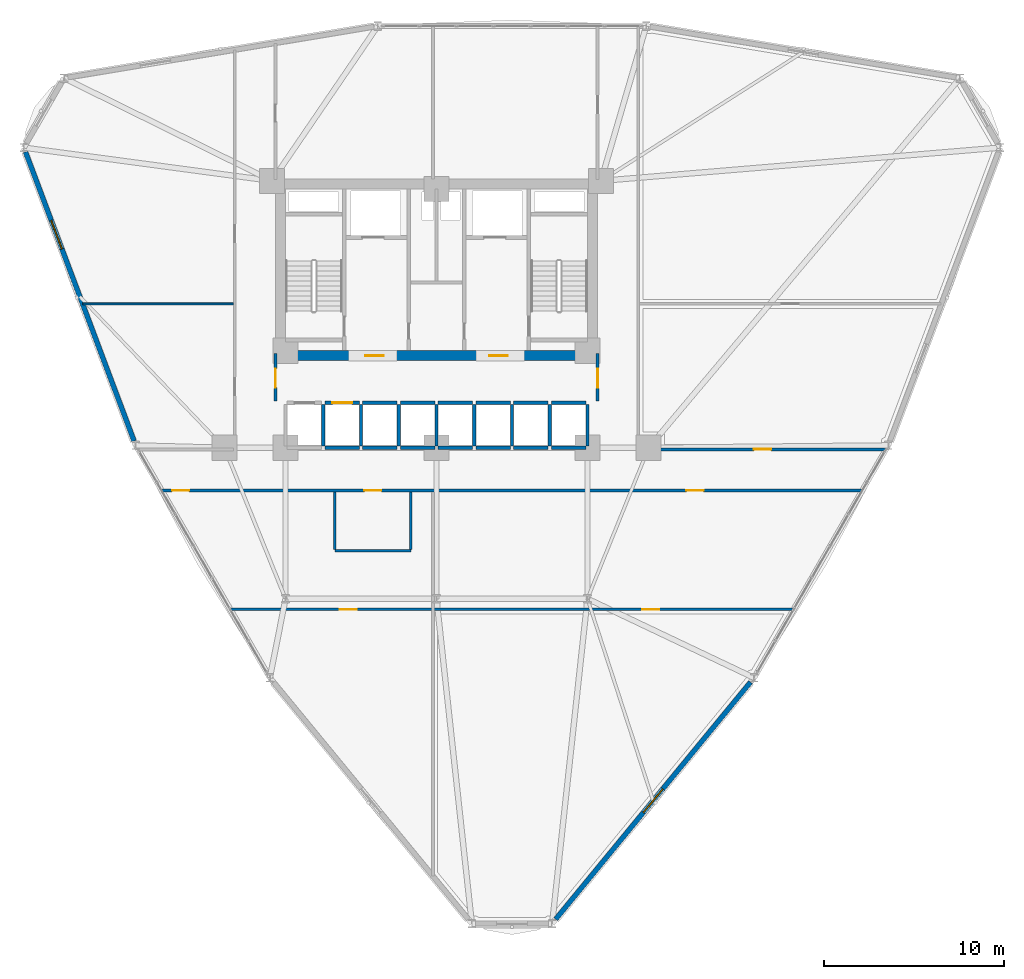
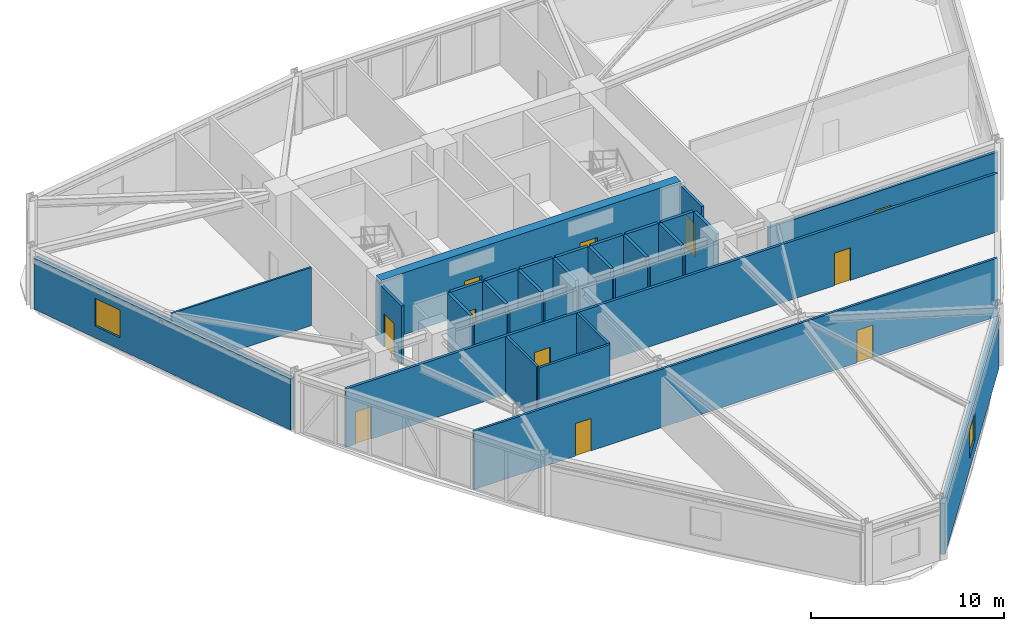
# One storey, part 14 of 20: 34 walls, 11 doors, 2 windows, 13 openings.
"""IFC4 building model written with IfcOpenShell, lengths in metres."""

from ifc_helpers import new_model, si_unit, derived_unit, direction, frame, frame_2d, origin, place, context, subcontext, project, spatial, rectangle, extrude, material, layer, layer_set, type_object, element, fill, save


model = new_model("IFC4")

# Units and contexts
model_context = context("Model", 3, precision=1e-05, world=origin(), true_north=direction((0.0, 1.0)))
body_context = subcontext(model_context, "Body", "Model", "MODEL_VIEW")
ifc_project = project(units=[si_unit("LENGTHUNIT", "METRE"), si_unit("AREAUNIT", "SQUARE_METRE"), si_unit("VOLUMEUNIT", "CUBIC_METRE"), si_unit("PLANEANGLEUNIT", "RADIAN"), si_unit("MASSUNIT", "GRAM", prefix="KILO"), derived_unit("THERMALTRANSMITTANCEUNIT", [(si_unit("POWERUNIT", "WATT"), 1), (si_unit("LENGTHUNIT", "METRE"), -2), (si_unit("THERMODYNAMICTEMPERATUREUNIT", "KELVIN"), -1)])], contexts=[model_context])

# Site, building, storey
site_placement = place(None, origin())
site = spatial("IfcSite", under=ifc_project, at=site_placement, CompositionType="ELEMENT")
building_placement = place(site_placement, origin())
building = spatial("IfcBuilding", under=site, at=building_placement, Name="Korsvarv Bourse and Concert Hall", CompositionType="ELEMENT")
storey_placement = place(building_placement, frame((0.0, 0.0, 79.5)))
storey = spatial("IfcBuildingStorey", under=building, at=storey_placement, Name="L19", CompositionType="ELEMENT", Elevation=79.5)

# Wall, openings, doors
ifc_material_1 = material(Name="Concrete C60/75", Category="concrete")
ifc_layer_1 = layer(ifc_material_1, 0.550048828125)
ifc_layer_set_1 = layer_set([ifc_layer_1], Name="Concrete C60/75")
wall_type_1 = type_object("IfcWallType", Name="WL-CORE-550", PredefinedType="SHEAR", material=ifc_layer_set_1)
wall_1_placement = place(storey_placement, frame((27.050048828125, 37.52490234375, 0.0), z_axis=(0.0, 0.0, 1.0), x_axis=(1.0, 0.0, 0.0)))
wall_1 = element("IfcWall", 1, at=wall_1_placement, inside=storey, type_object=wall_type_1, Name="L19 South Core Shear Wall", PredefinedType="SHEAR", context=body_context, shape_type="SweptSolid", body=[
    extrude(rectangle(XDim=17.89990234375, YDim=0.550048828125, at=frame_2d((8.949951171875, 0.0))), origin(), (0.0, 0.0, 1.0), 3.89990234375),
])
opening_1_placement = place(wall_1_placement, frame((4.97509765625, 0.0, 0.0)))
opening_1 = element("IfcOpeningElement", 2, at=opening_1_placement, cuts=wall_1, Name="Opening D-01", PredefinedType="OPENING", context=body_context, shape_type="SweptSolid", body=[
    extrude(rectangle(XDim=1.050048828125, YDim=2.10009765625, at=frame_2d((0.52490234375, 1.050048828125))), frame((0.0, 0.28515625, 0.0), z_axis=(0.0, -1.0, 0.0), x_axis=(1.0, 0.0, 0.0)), (0.0, 0.0, 1.0), 0.570068359375),
])
opening_2_placement = place(wall_1_placement, frame((11.875, 0.0, 0.0)))
opening_2 = element("IfcOpeningElement", 3, at=opening_2_placement, cuts=wall_1, Name="Opening D-01", PredefinedType="OPENING", context=body_context, shape_type="SweptSolid", body=[
    extrude(rectangle(XDim=1.050048828125, YDim=2.10009765625, at=frame_2d((0.52490234375, 1.050048828125))), frame((0.0, 0.28515625, 0.0), z_axis=(0.0, -1.0, 0.0), x_axis=(1.0, 0.0, 0.0)), (0.0, 0.0, 1.0), 0.570068359375),
])
ifc_material_2 = material(Name="Steel S355 fire door", Category="steel")
door_type_1 = type_object("IfcDoorType", Name="DR-FD60", OperationType="NOTDEFINED", PredefinedType="DOOR", material=ifc_material_2)
door_1_placement = place(opening_1_placement, frame((1.050048828125, 0.0, 0.0), z_axis=(0.0, 0.0, 1.0), x_axis=(-1.0, 0.0, 0.0)))
door_1 = element("IfcDoor", 4, at=door_1_placement, inside=storey, type_object=door_type_1, Name="L19 firefighting lobby fire door DR-L19-FFLW", OperationType="SINGLE_SWING_RIGHT", OverallHeight=2.10009765625, OverallWidth=1.050048828125, PredefinedType="DOOR", context=body_context, shape_type="SweptSolid", body=[
    extrude(rectangle(XDim=1.050048828125, YDim=2.10009765625, at=frame_2d((0.52490234375, 1.050048828125))), frame((0.0, 0.02490234375, 0.0), z_axis=(0.0, -1.0, 0.0), x_axis=(1.0, 0.0, 0.0)), (0.0, 0.0, 1.0), 0.050048828125),
])
fill(opening_1, door_1)
door_2_placement = place(opening_2_placement, frame((1.050048828125, 0.0, 0.0), z_axis=(0.0, 0.0, 1.0), x_axis=(-1.0, 0.0, 0.0)))
door_2 = element("IfcDoor", 5, at=door_2_placement, inside=storey, type_object=door_type_1, Name="L19 firefighting lobby fire door DR-L19-FFLE", OperationType="SINGLE_SWING_LEFT", OverallHeight=2.10009765625, OverallWidth=1.050048828125, PredefinedType="DOOR", context=body_context, shape_type="SweptSolid", body=[
    extrude(rectangle(XDim=1.050048828125, YDim=2.10009765625, at=frame_2d((0.52490234375, 1.050048828125))), frame((0.0, 0.02490234375, 0.0), z_axis=(0.0, -1.0, 0.0), x_axis=(1.0, 0.0, 0.0)), (0.0, 0.0, 1.0), 0.050048828125),
])
fill(opening_2, door_2)

# Wall, opening, window
ifc_material_3 = material(Name="Precast concrete C45/55 with fluted terracotta pier", Category="concrete")
ifc_layer_2 = layer(ifc_material_3, 0.280029296875)
ifc_layer_set_2 = layer_set([ifc_layer_2], Name="Precast concrete C45/55 with fluted terracotta pier")
wall_type_2 = type_object("IfcWallType", Name="WL-EXT-TC2", PredefinedType="SOLIDWALL", material=ifc_layer_set_2)
wall_2_placement = place(storey_placement, frame((13.128662109375, 48.860107421875, 0.0), z_axis=(0.0, 0.0, 1.0), x_axis=(0.351559441404, -0.936165561832, 0.0)))
wall_2 = element("IfcWall", 6, at=wall_2_placement, inside=storey, type_object=wall_type_2, Name="L19 terracotta exterior wall EW-L19-B06", PredefinedType="SOLIDWALL", context=body_context, shape_type="SweptSolid", body=[
    extrude(rectangle(XDim=17.1806640625, YDim=0.280029296875, at=frame_2d((8.59033203125, 0.0))), origin(), (0.0, 0.0, 1.0), 3.22998046875),
])
opening_3_placement = place(wall_2_placement, frame((4.0703125, 0.0, 0.75)))
opening_3 = element("IfcOpeningElement", 7, at=opening_3_placement, cuts=wall_2, Name="Opening W-01", PredefinedType="OPENING", context=body_context, shape_type="SweptSolid", body=[
    extrude(rectangle(XDim=1.699951171875, YDim=1.75, at=frame_2d((0.85009765625, 0.875))), frame((0.0, 0.14990234375, 0.0), z_axis=(0.0, -1.0, 0.0), x_axis=(1.0, 0.0, 0.0)), (0.0, 0.0, 1.0), 0.300048828125),
])
ifc_material_4 = material(Name="Thermally broken aluminium frame with triple low-E glass", Category="glass")
window_type = type_object("IfcWindowType", Name="WIN-TW1", PartitioningType="SINGLE_PANEL", PredefinedType="WINDOW", material=ifc_material_4)
window_1_placement = place(opening_3_placement, origin())
window_1 = element("IfcWindow", 8, at=window_1_placement, inside=storey, type_object=window_type, Name="L19 punched facade window W-01", OverallHeight=1.75, OverallWidth=1.699951171875, PartitioningType="SINGLE_PANEL", PredefinedType="WINDOW", context=body_context, shape_type="SweptSolid", body=[
    extrude(rectangle(XDim=1.699951171875, YDim=1.75, at=frame_2d((0.85009765625, 0.875))), frame((0.0, 0.030029296875, 0.0), z_axis=(0.0, -1.0, 0.0), x_axis=(1.0, 0.0, 0.0)), (0.0, 0.0, 1.0), 0.06005859375),
])
fill(opening_3, window_1)

wall_3_placement = place(storey_placement, frame((42.633056640625, 6.167724609375, 0.0), z_axis=(0.0, 0.0, 1.0), x_axis=(0.634956540438, 0.772547857259, 0.0)))
wall_3 = element("IfcWall", 9, at=wall_3_placement, inside=storey, type_object=wall_type_2, Name="L19 terracotta exterior wall EW-L19-B10", PredefinedType="SOLIDWALL", context=body_context, shape_type="SweptSolid", body=[
    extrude(rectangle(XDim=17.0712890625, YDim=0.280029296875, at=frame_2d((8.53564453125, 0.0))), origin(), (0.0, 0.0, 1.0), 3.22998046875),
])
opening_4_placement = place(wall_3_placement, frame((7.685546875, 0.0, 0.75)))
opening_4 = element("IfcOpeningElement", 10, at=opening_4_placement, cuts=wall_3, Name="Opening W-01", PredefinedType="OPENING", context=body_context, shape_type="SweptSolid", body=[
    extrude(rectangle(XDim=1.699951171875, YDim=1.75, at=frame_2d((0.85009765625, 0.875))), frame((0.0, 0.14990234375, 0.0), z_axis=(0.0, -1.0, 0.0), x_axis=(1.0, 0.0, 0.0)), (0.0, 0.0, 1.0), 0.300048828125),
])
window_2_placement = place(opening_4_placement, origin())
window_2 = element("IfcWindow", 11, at=window_2_placement, inside=storey, type_object=window_type, Name="L19 punched facade window W-01", OverallHeight=1.75, OverallWidth=1.699951171875, PartitioningType="SINGLE_PANEL", PredefinedType="WINDOW", context=body_context, shape_type="SweptSolid", body=[
    extrude(rectangle(XDim=1.699951171875, YDim=1.75, at=frame_2d((0.85009765625, 0.875))), frame((0.0, 0.030029296875, 0.0), z_axis=(0.0, -1.0, 0.0), x_axis=(1.0, 0.0, 0.0)), (0.0, 0.0, 1.0), 0.06005859375),
])
fill(opening_4, window_2)

# Wall, opening, door
ifc_material_5 = material(Name="Double-stud fire-rated acoustic partition", Category="gypsum")
ifc_layer_3 = layer(ifc_material_5, 0.159912109375)
ifc_layer_set_3 = layer_set([ifc_layer_3], Name="Double-stud fire-rated acoustic partition")
wall_type_3 = type_object("IfcWallType", Name="WL-INT-EI60", PredefinedType="PARTITIONING", material=ifc_layer_set_3)
wall_4_placement = place(storey_placement, frame((27.0400390625, 35.0, 0.0), z_axis=(0.0, 0.0, 1.0), x_axis=(0.0, 1.0, 0.0)))
wall_4 = element("IfcWall", 12, at=wall_4_placement, inside=storey, type_object=wall_type_3, Name="L19 interior partition wall W-L19-LOB-W", PredefinedType="PARTITIONING", context=body_context, shape_type="SweptSolid", body=[
    extrude(rectangle(XDim=2.64990234375, YDim=0.159912109375, at=frame_2d((1.324951171875, 0.0))), origin(), (0.0, 0.0, 1.0), 3.679931640625),
])
opening_5_placement = place(wall_4_placement, frame((0.75, 0.0, 0.0)))
opening_5 = element("IfcOpeningElement", 13, at=opening_5_placement, cuts=wall_4, Name="Opening D-01", PredefinedType="OPENING", context=body_context, shape_type="SweptSolid", body=[
    extrude(rectangle(XDim=1.050048828125, YDim=2.10009765625, at=frame_2d((0.52490234375, 1.050048828125))), frame((0.0, 0.08984375, 0.0), z_axis=(0.0, -1.0, 0.0), x_axis=(1.0, 0.0, 0.0)), (0.0, 0.0, 1.0), 0.179931640625),
])
door_3_placement = place(opening_5_placement, frame((1.050048828125, 0.0, 0.0), z_axis=(0.0, 0.0, 1.0), x_axis=(-1.0, 0.0, 0.0)))
door_3 = element("IfcDoor", 14, at=door_3_placement, inside=storey, type_object=door_type_1, Name="L19 interior door DR-L19-LOBW", OperationType="SINGLE_SWING_LEFT", OverallHeight=2.10009765625, OverallWidth=1.050048828125, PredefinedType="DOOR", context=body_context, shape_type="SweptSolid", body=[
    extrude(rectangle(XDim=1.050048828125, YDim=2.10009765625, at=frame_2d((0.52490234375, 1.050048828125))), frame((0.0, 0.02490234375, 0.0), z_axis=(0.0, -1.0, 0.0), x_axis=(1.0, 0.0, 0.0)), (0.0, 0.0, 1.0), 0.050048828125),
])
fill(opening_5, door_3)

wall_5_placement = place(storey_placement, frame((44.9599609375, 35.0, 0.0), z_axis=(0.0, 0.0, 1.0), x_axis=(0.0, 1.0, 0.0)))
wall_5 = element("IfcWall", 15, at=wall_5_placement, inside=storey, type_object=wall_type_3, Name="L19 interior partition wall W-L19-LOB-E", PredefinedType="PARTITIONING", context=body_context, shape_type="SweptSolid", body=[
    extrude(rectangle(XDim=2.64990234375, YDim=0.159912109375, at=frame_2d((1.324951171875, 0.0))), origin(), (0.0, 0.0, 1.0), 3.679931640625),
])
opening_6_placement = place(wall_5_placement, frame((0.75, 0.0, 0.0)))
opening_6 = element("IfcOpeningElement", 16, at=opening_6_placement, cuts=wall_5, Name="Opening D-01", PredefinedType="OPENING", context=body_context, shape_type="SweptSolid", body=[
    extrude(rectangle(XDim=1.050048828125, YDim=2.10009765625, at=frame_2d((0.52490234375, 1.050048828125))), frame((0.0, 0.08984375, 0.0), z_axis=(0.0, -1.0, 0.0), x_axis=(1.0, 0.0, 0.0)), (0.0, 0.0, 1.0), 0.179931640625),
])
door_4_placement = place(opening_6_placement, origin())
door_4 = element("IfcDoor", 17, at=door_4_placement, inside=storey, type_object=door_type_1, Name="L19 interior door DR-L19-LOBE", OperationType="SINGLE_SWING_RIGHT", OverallHeight=2.10009765625, OverallWidth=1.050048828125, PredefinedType="DOOR", context=body_context, shape_type="SweptSolid", body=[
    extrude(rectangle(XDim=1.050048828125, YDim=2.10009765625, at=frame_2d((0.52490234375, 1.050048828125))), frame((0.0, 0.02490234375, 0.0), z_axis=(0.0, -1.0, 0.0), x_axis=(1.0, 0.0, 0.0)), (0.0, 0.0, 1.0), 0.050048828125),
])
fill(opening_6, door_4)

# Wall, openings, doors
wall_6_placement = place(storey_placement, frame((20.728515625, 30.02490234375, 0.0), z_axis=(0.0, 0.0, 1.0), x_axis=(1.0, 0.0, 0.0)))
wall_6 = element("IfcWall", 18, at=wall_6_placement, inside=storey, type_object=wall_type_3, Name="L19 interior partition wall W-L19-TCOR-01", PredefinedType="PARTITIONING", context=body_context, shape_type="SweptSolid", body=[
    extrude(rectangle(XDim=38.943115234375, YDim=0.159912109375, at=frame_2d((19.4716796875, 0.0))), origin(), (0.0, 0.0, 1.0), 3.679931640625),
])
opening_7_placement = place(wall_6_placement, frame((11.256591796875, 0.0, 0.0)))
opening_7 = element("IfcOpeningElement", 19, at=opening_7_placement, cuts=wall_6, Name="Opening D-02", PredefinedType="OPENING", context=body_context, shape_type="SweptSolid", body=[
    extrude(rectangle(XDim=0.949951171875, YDim=2.050048828125, at=frame_2d((0.47509765625, 1.02490234375))), frame((0.0, 0.08984375, 0.0), z_axis=(0.0, -1.0, 0.0), x_axis=(1.0, 0.0, 0.0)), (0.0, 0.0, 1.0), 0.179931640625),
])
opening_8_placement = place(wall_6_placement, frame((0.561279296875, 0.0, 0.0)))
opening_8 = element("IfcOpeningElement", 20, at=opening_8_placement, cuts=wall_6, Name="Opening D-02", PredefinedType="OPENING", context=body_context, shape_type="SweptSolid", body=[
    extrude(rectangle(XDim=0.949951171875, YDim=2.050048828125, at=frame_2d((0.47509765625, 1.02490234375))), frame((0.0, 0.08984375, 0.0), z_axis=(0.0, -1.0, 0.0), x_axis=(1.0, 0.0, 0.0)), (0.0, 0.0, 1.0), 0.179931640625),
])
opening_9_placement = place(wall_6_placement, frame((29.177490234375, 0.0, 0.0)))
opening_9 = element("IfcOpeningElement", 21, at=opening_9_placement, cuts=wall_6, Name="Opening D-02", PredefinedType="OPENING", context=body_context, shape_type="SweptSolid", body=[
    extrude(rectangle(XDim=0.949951171875, YDim=2.050048828125, at=frame_2d((0.47509765625, 1.02490234375))), frame((0.0, 0.08984375, 0.0), z_axis=(0.0, -1.0, 0.0), x_axis=(1.0, 0.0, 0.0)), (0.0, 0.0, 1.0), 0.179931640625),
])
ifc_material_6 = material(Name="Timber and steel acoustic fire door", Category="wood")
door_type_2 = type_object("IfcDoorType", Name="DR-FD30", OperationType="NOTDEFINED", PredefinedType="DOOR", material=ifc_material_6)
door_5_placement = place(opening_7_placement, origin())
door_5 = element("IfcDoor", 22, at=door_5_placement, inside=storey, type_object=door_type_2, Name="L19 interior door DR-L19-TCOR-RWC", OperationType="SINGLE_SWING_LEFT", OverallHeight=2.050048828125, OverallWidth=0.949951171875, PredefinedType="DOOR", context=body_context, shape_type="SweptSolid", body=[
    extrude(rectangle(XDim=0.949951171875, YDim=2.050048828125, at=frame_2d((0.47509765625, 1.02490234375))), frame((0.0, 0.02490234375, 0.0), z_axis=(0.0, -1.0, 0.0), x_axis=(1.0, 0.0, 0.0)), (0.0, 0.0, 1.0), 0.050048828125),
])
fill(opening_7, door_5)
door_6_placement = place(opening_8_placement, origin())
door_6 = element("IfcDoor", 23, at=door_6_placement, inside=storey, type_object=door_type_2, Name="L19 interior door DR-L19-TCOR-ACW5", OperationType="SINGLE_SWING_RIGHT", OverallHeight=2.050048828125, OverallWidth=0.949951171875, PredefinedType="DOOR", context=body_context, shape_type="SweptSolid", body=[
    extrude(rectangle(XDim=0.949951171875, YDim=2.050048828125, at=frame_2d((0.47509765625, 1.02490234375))), frame((0.0, 0.02490234375, 0.0), z_axis=(0.0, -1.0, 0.0), x_axis=(1.0, 0.0, 0.0)), (0.0, 0.0, 1.0), 0.050048828125),
])
fill(opening_8, door_6)
door_7_placement = place(opening_9_placement, origin())
door_7 = element("IfcDoor", 24, at=door_7_placement, inside=storey, type_object=door_type_2, Name="L19 interior door DR-L19-TCOR-ACE6", OperationType="SINGLE_SWING_LEFT", OverallHeight=2.050048828125, OverallWidth=0.949951171875, PredefinedType="DOOR", context=body_context, shape_type="SweptSolid", body=[
    extrude(rectangle(XDim=0.949951171875, YDim=2.050048828125, at=frame_2d((0.47509765625, 1.02490234375))), frame((0.0, 0.02490234375, 0.0), z_axis=(0.0, -1.0, 0.0), x_axis=(1.0, 0.0, 0.0)), (0.0, 0.0, 1.0), 0.050048828125),
])
fill(opening_9, door_7)

# Wall, opening, door
wall_7_placement = place(storey_placement, frame((47.306884765625, 32.31494140625, 0.0), z_axis=(0.0, 0.0, 1.0), x_axis=(1.0, 0.0, 0.0)))
wall_7 = element("IfcWall", 25, at=wall_7_placement, inside=storey, type_object=wall_type_3, Name="L19 interior partition wall W-L19-TCOR-04", PredefinedType="PARTITIONING", context=body_context, shape_type="SweptSolid", body=[
    extrude(rectangle(XDim=13.686767578125, YDim=0.159912109375, at=frame_2d((6.84326171875, 0.0))), origin(), (0.0, 0.0, 1.0), 3.179931640625),
])
opening_10_placement = place(wall_7_placement, frame((6.354248046875, 0.0, 0.0)))
opening_10 = element("IfcOpeningElement", 26, at=opening_10_placement, cuts=wall_7, Name="Opening D-02", PredefinedType="OPENING", context=body_context, shape_type="SweptSolid", body=[
    extrude(rectangle(XDim=0.949951171875, YDim=2.050048828125, at=frame_2d((0.47509765625, 1.02490234375))), frame((0.0, 0.08984375, 0.0), z_axis=(0.0, -1.0, 0.0), x_axis=(1.0, 0.0, 0.0)), (0.0, 0.0, 1.0), 0.179931640625),
])
door_8_placement = place(opening_10_placement, origin())
door_8 = element("IfcDoor", 27, at=door_8_placement, inside=storey, type_object=door_type_2, Name="L19 interior door DR-L19-TCOR-NEL1", OperationType="SINGLE_SWING_RIGHT", OverallHeight=2.050048828125, OverallWidth=0.949951171875, PredefinedType="DOOR", context=body_context, shape_type="SweptSolid", body=[
    extrude(rectangle(XDim=0.949951171875, YDim=2.050048828125, at=frame_2d((0.47509765625, 1.02490234375))), frame((0.0, 0.02490234375, 0.0), z_axis=(0.0, -1.0, 0.0), x_axis=(1.0, 0.0, 0.0)), (0.0, 0.0, 1.0), 0.050048828125),
])
fill(opening_10, door_8)

ifc_material_7 = material(Name="Gypsum-clad autoclaved concrete shaft wall C30/37", Category="concrete")
ifc_layer_4 = layer(ifc_material_7, 0.179931640625)
ifc_layer_set_4 = layer_set([ifc_layer_4], Name="Gypsum-clad autoclaved concrete shaft wall C30/37")
wall_type_4 = type_object("IfcWallType", Name="WL-INT-EI90", PredefinedType="PARTITIONING", material=ifc_layer_set_4)
wall_8_placement = place(storey_placement, frame((29.7900390625, 34.89990234375, 0.0), z_axis=(0.0, 0.0, 1.0), x_axis=(1.0, 0.0, 0.0)))
wall_8 = element("IfcWall", 28, at=wall_8_placement, inside=storey, type_object=wall_type_4, Name="L19 interior partition wall W-L19-SHFN-PL2", PredefinedType="PARTITIONING", context=body_context, shape_type="SweptSolid", body=[
    extrude(rectangle(XDim=1.919921875, YDim=0.179931640625, at=frame_2d((0.9599609375, 0.0))), origin(), (0.0, 0.0, 1.0), 3.679931640625),
])
opening_11_placement = place(wall_8_placement, frame((0.409912109375, 0.0, 0.0)))
opening_11 = element("IfcOpeningElement", 29, at=opening_11_placement, cuts=wall_8, Name="Opening LD-2", PredefinedType="OPENING", context=body_context, shape_type="SweptSolid", body=[
    extrude(rectangle(XDim=1.10009765625, YDim=2.10009765625, at=frame_2d((0.550048828125, 1.050048828125))), frame((0.0, 0.10009765625, 0.0), z_axis=(0.0, -1.0, 0.0), x_axis=(1.0, 0.0, 0.0)), (0.0, 0.0, 1.0), 0.199951171875),
])
ifc_material_8 = material(Name="Brushed stainless Steel S355 lift landing door", Category="steel")
door_type_3 = type_object("IfcDoorType", Name="DR-LIFT-P", OperationType="DOUBLE_DOOR_SLIDING", PredefinedType="DOOR", material=ifc_material_8)
door_9_placement = place(opening_11_placement, origin())
door_9 = element("IfcDoor", 30, at=door_9_placement, inside=storey, type_object=door_type_3, Name="L19 lift sliding landing door LD-L19-PL2", OperationType="DOUBLE_DOOR_SLIDING", OverallHeight=2.10009765625, OverallWidth=1.10009765625, PredefinedType="DOOR", context=body_context, shape_type="SweptSolid", body=[
    extrude(rectangle(XDim=1.10009765625, YDim=2.10009765625, at=frame_2d((0.550048828125, 1.050048828125))), frame((0.0, 0.02490234375, 0.0), z_axis=(0.0, -1.0, 0.0), x_axis=(1.0, 0.0, 0.0)), (0.0, 0.0, 1.0), 0.050048828125),
])
fill(opening_11, door_9)

# Walls
wall_9_placement = place(storey_placement, frame((29.7900390625, 32.39990234375, 0.0), z_axis=(0.0, 0.0, 1.0), x_axis=(1.0, 0.0, 0.0)))
element("IfcWall", 31, at=wall_9_placement, inside=storey, type_object=wall_type_4, Name="L19 interior partition wall W-L19-SHFS-PL2", PredefinedType="PARTITIONING", context=body_context, shape_type="SweptSolid", body=[
    extrude(rectangle(XDim=1.919921875, YDim=0.179931640625, at=frame_2d((0.9599609375, 0.0))), origin(), (0.0, 0.0, 1.0), 3.179931640625),
])
wall_10_placement = place(storey_placement, frame((29.699951171875, 32.489990234375, 0.0), z_axis=(0.0, 0.0, 1.0), x_axis=(0.0, 1.0, 0.0)))
element("IfcWall", 32, at=wall_10_placement, inside=storey, type_object=wall_type_4, Name="L19 interior partition wall W-L19-SHFW-PL2", PredefinedType="PARTITIONING", context=body_context, shape_type="SweptSolid", body=[
    extrude(rectangle(XDim=2.320068359375, YDim=0.179931640625, at=frame_2d((1.16015625, 0.0))), origin(), (0.0, 0.0, 1.0), 3.679931640625),
])
wall_11_placement = place(storey_placement, frame((31.889892578125, 34.89990234375, 0.0), z_axis=(0.0, 0.0, 1.0), x_axis=(1.0, 0.0, 0.0)))
element("IfcWall", 33, at=wall_11_placement, inside=storey, type_object=wall_type_4, Name="L19 interior partition wall W-L19-SHFN-PM1", PredefinedType="PARTITIONING", context=body_context, shape_type="SweptSolid", body=[
    extrude(rectangle(XDim=1.920166015625, YDim=0.179931640625, at=frame_2d((0.9599609375, 0.0))), origin(), (0.0, 0.0, 1.0), 3.679931640625),
])
wall_12_placement = place(storey_placement, frame((31.889892578125, 32.39990234375, 0.0), z_axis=(0.0, 0.0, 1.0), x_axis=(1.0, 0.0, 0.0)))
element("IfcWall", 34, at=wall_12_placement, inside=storey, type_object=wall_type_4, Name="L19 interior partition wall W-L19-SHFS-PM1", PredefinedType="PARTITIONING", context=body_context, shape_type="SweptSolid", body=[
    extrude(rectangle(XDim=1.920166015625, YDim=0.179931640625, at=frame_2d((0.9599609375, 0.0))), origin(), (0.0, 0.0, 1.0), 3.179931640625),
])
wall_13_placement = place(storey_placement, frame((31.800048828125, 32.489990234375, 0.0), z_axis=(0.0, 0.0, 1.0), x_axis=(0.0, 1.0, 0.0)))
element("IfcWall", 35, at=wall_13_placement, inside=storey, type_object=wall_type_4, Name="L19 interior partition wall W-L19-SHFW-PM1", PredefinedType="PARTITIONING", context=body_context, shape_type="SweptSolid", body=[
    extrude(rectangle(XDim=2.320068359375, YDim=0.179931640625, at=frame_2d((1.16015625, 0.0))), origin(), (0.0, 0.0, 1.0), 3.679931640625),
])
wall_14_placement = place(storey_placement, frame((33.989990234375, 34.89990234375, 0.0), z_axis=(0.0, 0.0, 1.0), x_axis=(1.0, 0.0, 0.0)))
element("IfcWall", 36, at=wall_14_placement, inside=storey, type_object=wall_type_4, Name="L19 interior partition wall W-L19-SHFN-PM2", PredefinedType="PARTITIONING", context=body_context, shape_type="SweptSolid", body=[
    extrude(rectangle(XDim=1.919921875, YDim=0.179931640625, at=frame_2d((0.9599609375, 0.0))), origin(), (0.0, 0.0, 1.0), 3.679931640625),
])
wall_15_placement = place(storey_placement, frame((33.989990234375, 32.39990234375, 0.0), z_axis=(0.0, 0.0, 1.0), x_axis=(1.0, 0.0, 0.0)))
element("IfcWall", 37, at=wall_15_placement, inside=storey, type_object=wall_type_4, Name="L19 interior partition wall W-L19-SHFS-PM2", PredefinedType="PARTITIONING", context=body_context, shape_type="SweptSolid", body=[
    extrude(rectangle(XDim=1.919921875, YDim=0.179931640625, at=frame_2d((0.9599609375, 0.0))), origin(), (0.0, 0.0, 1.0), 3.179931640625),
])
wall_16_placement = place(storey_placement, frame((33.89990234375, 32.489990234375, 0.0), z_axis=(0.0, 0.0, 1.0), x_axis=(0.0, 1.0, 0.0)))
element("IfcWall", 38, at=wall_16_placement, inside=storey, type_object=wall_type_4, Name="L19 interior partition wall W-L19-SHFW-PM2", PredefinedType="PARTITIONING", context=body_context, shape_type="SweptSolid", body=[
    extrude(rectangle(XDim=2.320068359375, YDim=0.179931640625, at=frame_2d((1.16015625, 0.0))), origin(), (0.0, 0.0, 1.0), 3.679931640625),
])
wall_17_placement = place(storey_placement, frame((36.090087890625, 34.89990234375, 0.0), z_axis=(0.0, 0.0, 1.0), x_axis=(1.0, 0.0, 0.0)))
element("IfcWall", 39, at=wall_17_placement, inside=storey, type_object=wall_type_4, Name="L19 interior partition wall W-L19-SHFN-PH1", PredefinedType="PARTITIONING", context=body_context, shape_type="SweptSolid", body=[
    extrude(rectangle(XDim=1.919921875, YDim=0.179931640625, at=frame_2d((0.9599609375, 0.0))), origin(), (0.0, 0.0, 1.0), 3.679931640625),
])
wall_18_placement = place(storey_placement, frame((36.090087890625, 32.39990234375, 0.0), z_axis=(0.0, 0.0, 1.0), x_axis=(1.0, 0.0, 0.0)))
element("IfcWall", 40, at=wall_18_placement, inside=storey, type_object=wall_type_4, Name="L19 interior partition wall W-L19-SHFS-PH1", PredefinedType="PARTITIONING", context=body_context, shape_type="SweptSolid", body=[
    extrude(rectangle(XDim=1.919921875, YDim=0.179931640625, at=frame_2d((0.9599609375, 0.0))), origin(), (0.0, 0.0, 1.0), 3.179931640625),
])
wall_19_placement = place(storey_placement, frame((36.0, 32.489990234375, 0.0), z_axis=(0.0, 0.0, 1.0), x_axis=(0.0, 1.0, 0.0)))
element("IfcWall", 41, at=wall_19_placement, inside=storey, type_object=wall_type_4, Name="L19 interior partition wall W-L19-SHFW-PH1", PredefinedType="PARTITIONING", context=body_context, shape_type="SweptSolid", body=[
    extrude(rectangle(XDim=2.320068359375, YDim=0.179931640625, at=frame_2d((1.16015625, 0.0))), origin(), (0.0, 0.0, 1.0), 3.679931640625),
])
wall_20_placement = place(storey_placement, frame((38.18994140625, 34.89990234375, 0.0), z_axis=(0.0, 0.0, 1.0), x_axis=(1.0, 0.0, 0.0)))
element("IfcWall", 42, at=wall_20_placement, inside=storey, type_object=wall_type_4, Name="L19 interior partition wall W-L19-SHFN-PH2", PredefinedType="PARTITIONING", context=body_context, shape_type="SweptSolid", body=[
    extrude(rectangle(XDim=1.920166015625, YDim=0.179931640625, at=frame_2d((0.9599609375, 0.0))), origin(), (0.0, 0.0, 1.0), 3.679931640625),
])
wall_21_placement = place(storey_placement, frame((38.18994140625, 32.39990234375, 0.0), z_axis=(0.0, 0.0, 1.0), x_axis=(1.0, 0.0, 0.0)))
element("IfcWall", 43, at=wall_21_placement, inside=storey, type_object=wall_type_4, Name="L19 interior partition wall W-L19-SHFS-PH2", PredefinedType="PARTITIONING", context=body_context, shape_type="SweptSolid", body=[
    extrude(rectangle(XDim=1.920166015625, YDim=0.179931640625, at=frame_2d((0.9599609375, 0.0))), origin(), (0.0, 0.0, 1.0), 3.179931640625),
])
wall_22_placement = place(storey_placement, frame((38.10009765625, 32.489990234375, 0.0), z_axis=(0.0, 0.0, 1.0), x_axis=(0.0, 1.0, 0.0)))
element("IfcWall", 44, at=wall_22_placement, inside=storey, type_object=wall_type_4, Name="L19 interior partition wall W-L19-SHFW-PH2", PredefinedType="PARTITIONING", context=body_context, shape_type="SweptSolid", body=[
    extrude(rectangle(XDim=2.320068359375, YDim=0.179931640625, at=frame_2d((1.16015625, 0.0))), origin(), (0.0, 0.0, 1.0), 3.679931640625),
])
wall_23_placement = place(storey_placement, frame((40.2900390625, 34.89990234375, 0.0), z_axis=(0.0, 0.0, 1.0), x_axis=(1.0, 0.0, 0.0)))
element("IfcWall", 45, at=wall_23_placement, inside=storey, type_object=wall_type_4, Name="L19 interior partition wall W-L19-SHFN-PO1", PredefinedType="PARTITIONING", context=body_context, shape_type="SweptSolid", body=[
    extrude(rectangle(XDim=1.919921875, YDim=0.179931640625, at=frame_2d((0.9599609375, 0.0))), origin(), (0.0, 0.0, 1.0), 3.679931640625),
])
wall_24_placement = place(storey_placement, frame((40.2900390625, 32.39990234375, 0.0), z_axis=(0.0, 0.0, 1.0), x_axis=(1.0, 0.0, 0.0)))
element("IfcWall", 46, at=wall_24_placement, inside=storey, type_object=wall_type_4, Name="L19 interior partition wall W-L19-SHFS-PO1", PredefinedType="PARTITIONING", context=body_context, shape_type="SweptSolid", body=[
    extrude(rectangle(XDim=1.919921875, YDim=0.179931640625, at=frame_2d((0.9599609375, 0.0))), origin(), (0.0, 0.0, 1.0), 3.179931640625),
])
wall_25_placement = place(storey_placement, frame((40.199951171875, 32.489990234375, 0.0), z_axis=(0.0, 0.0, 1.0), x_axis=(0.0, 1.0, 0.0)))
element("IfcWall", 47, at=wall_25_placement, inside=storey, type_object=wall_type_4, Name="L19 interior partition wall W-L19-SHFW-PO1", PredefinedType="PARTITIONING", context=body_context, shape_type="SweptSolid", body=[
    extrude(rectangle(XDim=2.320068359375, YDim=0.179931640625, at=frame_2d((1.16015625, 0.0))), origin(), (0.0, 0.0, 1.0), 3.679931640625),
])
wall_26_placement = place(storey_placement, frame((42.389892578125, 34.89990234375, 0.0), z_axis=(0.0, 0.0, 1.0), x_axis=(1.0, 0.0, 0.0)))
element("IfcWall", 48, at=wall_26_placement, inside=storey, type_object=wall_type_4, Name="L19 interior partition wall W-L19-SHFN-PO2", PredefinedType="PARTITIONING", context=body_context, shape_type="SweptSolid", body=[
    extrude(rectangle(XDim=1.920166015625, YDim=0.179931640625, at=frame_2d((0.9599609375, 0.0))), origin(), (0.0, 0.0, 1.0), 3.679931640625),
])
wall_27_placement = place(storey_placement, frame((42.389892578125, 32.39990234375, 0.0), z_axis=(0.0, 0.0, 1.0), x_axis=(1.0, 0.0, 0.0)))
element("IfcWall", 49, at=wall_27_placement, inside=storey, type_object=wall_type_4, Name="L19 interior partition wall W-L19-SHFS-PO2", PredefinedType="PARTITIONING", context=body_context, shape_type="SweptSolid", body=[
    extrude(rectangle(XDim=1.920166015625, YDim=0.179931640625, at=frame_2d((0.9599609375, 0.0))), origin(), (0.0, 0.0, 1.0), 3.179931640625),
])
for number, where, z_axis, x_axis, name in (
    (50, (42.300048828125, 32.489990234375, 0.0), (0.0, 0.0, 1.0), (0.0, 1.0, 0.0), "L19 interior partition wall W-L19-SHFW-PO2"),
    (51, (44.39990234375, 32.489990234375, 0.0), (0.0, 0.0, 1.0), (0.0, 1.0, 0.0), "L19 interior partition wall W-L19-SHFE-END"),
):
    element("IfcWall", number, at=place(storey_placement, frame(where, z_axis=z_axis, x_axis=x_axis)), inside=storey, type_object=wall_type_4, Name=name, PredefinedType="PARTITIONING", context=body_context, shape_type="SweptSolid", body=[
        extrude(rectangle(XDim=2.320068359375, YDim=0.179931640625, at=frame_2d((1.16015625, 0.0))), origin(), (0.0, 0.0, 1.0), 3.679931640625),
    ])
ifc_material_9 = material(Name="Demountable acoustic glass and aluminium dealing partition", Category="aluminium")
ifc_layer_5 = layer(ifc_material_9, 0.110107421875)
ifc_layer_set_5 = layer_set([ifc_layer_5], Name="Demountable acoustic glass and aluminium dealing partition")
wall_type_5 = type_object("IfcWallType", Name="WL-INT-MOV", PredefinedType="MOVABLE", material=ifc_layer_set_5)
wall_28_placement = place(storey_placement, frame((16.323974609375, 40.405029296875, 0.0), z_axis=(0.0, 0.0, 1.0), x_axis=(1.0, 0.0, 0.0)))
element("IfcWall", 52, at=wall_28_placement, inside=storey, type_object=wall_type_5, Name="L19 interior partition wall W-L19-TCOR-12", PredefinedType="MOVABLE", context=body_context, shape_type="SweptSolid", body=[
    extrude(rectangle(XDim=8.369140625, YDim=0.110107421875, at=frame_2d((4.1845703125, 0.0))), origin(), (0.0, 0.0, 1.0), 3.679931640625),
])

# Wall, openings, doors
ifc_material_10 = material(Name="Insulated steel-stud office acoustic partition", Category="gypsum")
ifc_layer_6 = layer(ifc_material_10, 0.139892578125)
ifc_layer_set_6 = layer_set([ifc_layer_6], Name="Insulated steel-stud office acoustic partition")
wall_type_6 = type_object("IfcWallType", Name="WL-INT-P1", PredefinedType="PARTITIONING", material=ifc_layer_set_6)
wall_29_placement = place(storey_placement, frame((24.550537109375, 23.405029296875, 0.0), z_axis=(0.0, 0.0, 1.0), x_axis=(1.0, 0.0, 0.0)))
wall_29 = element("IfcWall", 53, at=wall_29_placement, inside=storey, type_object=wall_type_6, Name="L19 interior partition wall W-L19-TCOR-08", PredefinedType="PARTITIONING", context=body_context, shape_type="SweptSolid", body=[
    extrude(rectangle(XDim=31.299072265625, YDim=0.139892578125, at=frame_2d((15.6494140625, 0.0))), origin(), (0.0, 0.0, 1.0), 3.679931640625),
])
opening_12_placement = place(wall_29_placement, frame((6.06591796875, 0.0, 0.0)))
opening_12 = element("IfcOpeningElement", 54, at=opening_12_placement, cuts=wall_29, Name="Opening D-03", PredefinedType="OPENING", context=body_context, shape_type="SweptSolid", body=[
    extrude(rectangle(XDim=0.949951171875, YDim=2.050048828125, at=frame_2d((0.47509765625, 1.02490234375))), frame((0.0, 0.080078125, 0.0), z_axis=(0.0, -1.0, 0.0), x_axis=(1.0, 0.0, 0.0)), (0.0, 0.0, 1.0), 0.159912109375),
])
opening_13_placement = place(wall_29_placement, frame((22.88623046875, 0.0, 0.0)))
opening_13 = element("IfcOpeningElement", 55, at=opening_13_placement, cuts=wall_29, Name="Opening D-03", PredefinedType="OPENING", context=body_context, shape_type="SweptSolid", body=[
    extrude(rectangle(XDim=0.949951171875, YDim=2.050048828125, at=frame_2d((0.47509765625, 1.02490234375))), frame((0.0, 0.080078125, 0.0), z_axis=(0.0, -1.0, 0.0), x_axis=(1.0, 0.0, 0.0)), (0.0, 0.0, 1.0), 0.159912109375),
])
ifc_material_11 = material(Name="Nordic oak acoustic office door", Category="wood")
door_type_4 = type_object("IfcDoorType", Name="DR-INT-1", OperationType="NOTDEFINED", PredefinedType="DOOR", material=ifc_material_11)
door_10_placement = place(opening_12_placement, origin())
door_10 = element("IfcDoor", 56, at=door_10_placement, inside=storey, type_object=door_type_4, Name="L19 interior door DR-L19-TCOR-ACS3", OperationType="SINGLE_SWING_LEFT", OverallHeight=2.050048828125, OverallWidth=0.949951171875, PredefinedType="DOOR", context=body_context, shape_type="SweptSolid", body=[
    extrude(rectangle(XDim=0.949951171875, YDim=2.050048828125, at=frame_2d((0.47509765625, 1.02490234375))), frame((0.0, 0.02490234375, 0.0), z_axis=(0.0, -1.0, 0.0), x_axis=(1.0, 0.0, 0.0)), (0.0, 0.0, 1.0), 0.050048828125),
])
fill(opening_12, door_10)
door_11_placement = place(opening_13_placement, origin())
door_11 = element("IfcDoor", 57, at=door_11_placement, inside=storey, type_object=door_type_4, Name="L19 interior door DR-L19-TCOR-ACF4", OperationType="SINGLE_SWING_RIGHT", OverallHeight=2.050048828125, OverallWidth=0.949951171875, PredefinedType="DOOR", context=body_context, shape_type="SweptSolid", body=[
    extrude(rectangle(XDim=0.949951171875, YDim=2.050048828125, at=frame_2d((0.47509765625, 1.02490234375))), frame((0.0, 0.02490234375, 0.0), z_axis=(0.0, -1.0, 0.0), x_axis=(1.0, 0.0, 0.0)), (0.0, 0.0, 1.0), 0.050048828125),
])
fill(opening_13, door_11)

# Walls
wall_30_placement = place(storey_placement, frame((30.340087890625, 26.675048828125, 0.0), z_axis=(0.0, 0.0, 1.0), x_axis=(1.0, 0.0, 0.0)))
element("IfcWall", 58, at=wall_30_placement, inside=storey, type_object=wall_type_6, Name="L19 interior partition wall W-L19-TCOR-13", PredefinedType="PARTITIONING", context=body_context, shape_type="SweptSolid", body=[
    extrude(rectangle(XDim=4.239990234375, YDim=0.139892578125, at=frame_2d((2.1201171875, 0.0))), origin(), (0.0, 0.0, 1.0), 3.679931640625),
])
for number, where, z_axis, x_axis, name in (
    (59, (34.574951171875, 26.7470703125, 0.0), (0.0, 0.0, 1.0), (0.0, 1.0, 0.0), "L19 interior partition wall W-L19-TCOR-14"),
    (60, (30.344970703125, 26.7470703125, 0.0), (0.0, 0.0, 1.0), (0.0, 1.0, 0.0), "L19 interior partition wall W-L19-TCOR-15"),
):
    element("IfcWall", number, at=place(storey_placement, frame(where, z_axis=z_axis, x_axis=x_axis)), inside=storey, type_object=wall_type_6, Name=name, PredefinedType="PARTITIONING", context=body_context, shape_type="SweptSolid", body=[
        extrude(rectangle(XDim=3.196044921875, YDim=0.139892578125, at=frame_2d((1.59814453125, 0.0))), origin(), (0.0, 0.0, 1.0), 3.679931640625),
    ])

save(model, "model.ifc")
